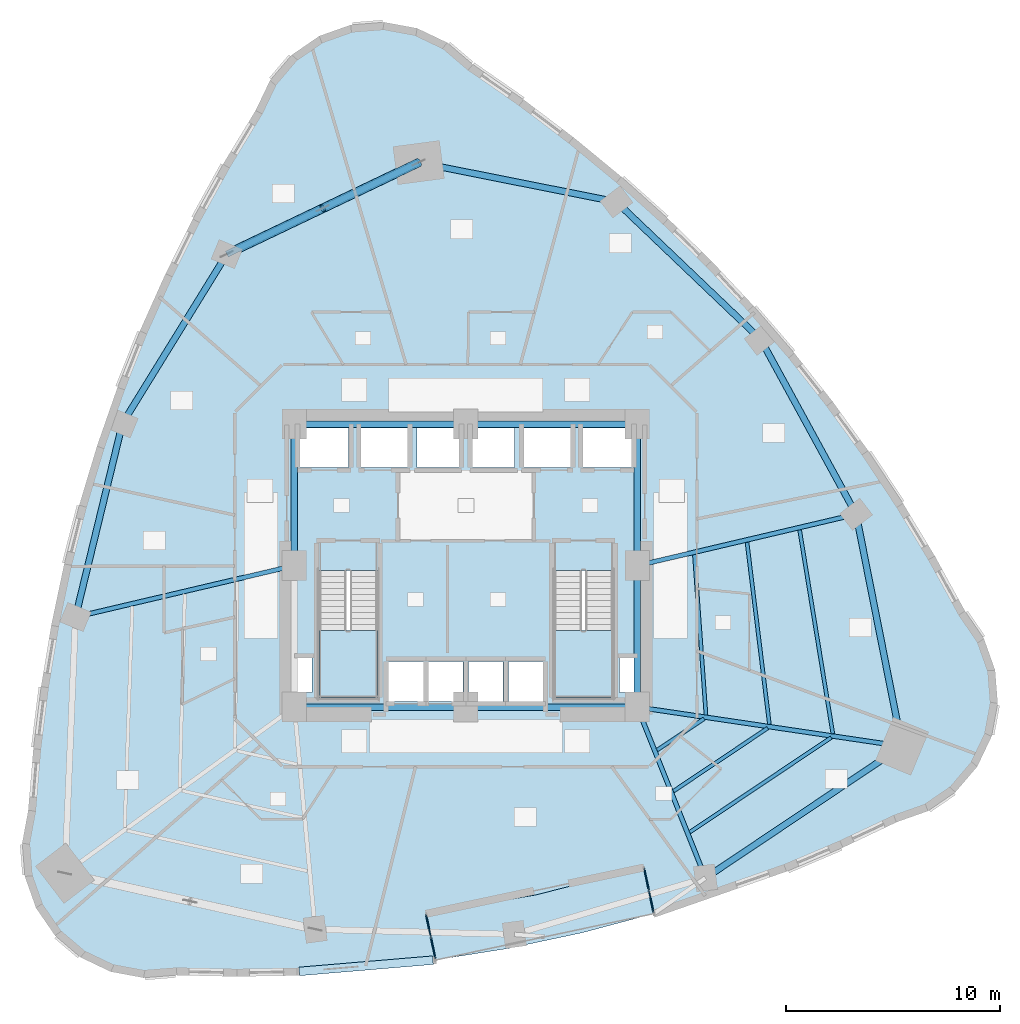
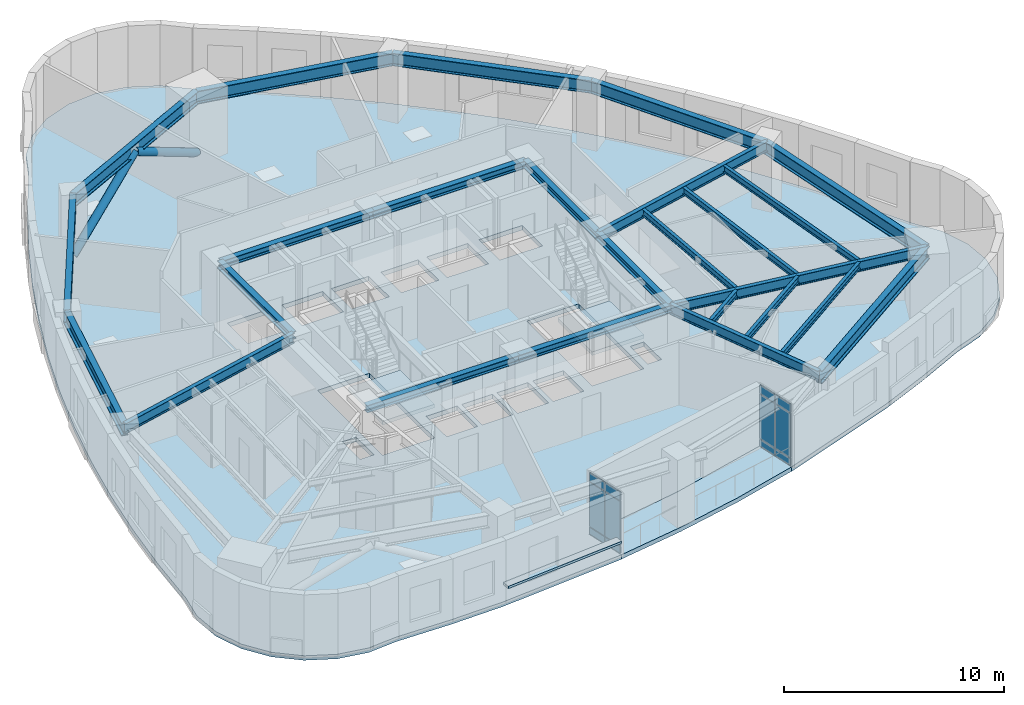
# One storey, part 4 of 12: 25 beams, 13 plates, 4 slabs, 2 members, 4 elements without a shape of their own.
"""IFC4 building model written with IfcOpenShell, lengths in metres."""

from ifc_helpers import new_model, si_unit, direction, frame, origin, origin_2d, place, context, subcontext, project, spatial, polyline, rectangle, hollow_circle, i_section, outline, extrude, material, layer, layer_set, material_profile, profile_set, type_object, element, aggregate, save


model = new_model("IFC4")

# Units and contexts
model_context = context("Model", 3, precision=1e-05, world=origin(), true_north=direction((0.0, 1.0)))
body_context = subcontext(model_context, "Body", "Model", "MODEL_VIEW")
ifc_project = project(units=[si_unit("LENGTHUNIT", "METRE"), si_unit("AREAUNIT", "SQUARE_METRE"), si_unit("VOLUMEUNIT", "CUBIC_METRE"), si_unit("PLANEANGLEUNIT", "RADIAN"), si_unit("MASSUNIT", "GRAM", prefix="KILO")], contexts=[model_context])

# Site, building, storey
site_placement = place(None, origin())
site = spatial("IfcSite", under=ifc_project, at=site_placement, CompositionType="ELEMENT")
building_placement = place(site_placement, origin())
building = spatial("IfcBuilding", under=site, at=building_placement, Name="Ndelora Gate Hotel", CompositionType="ELEMENT")
storey_placement = place(building_placement, frame((0.0, 0.0, 71.75)))
storey = spatial("IfcBuildingStorey", under=building, at=storey_placement, Name="L17", CompositionType="ELEMENT", Elevation=71.75)

# Beams
ifc_material_1 = material(Name="Steel S355", Category="steel")
ifc_material_profile_1 = material_profile(ifc_material_1, i_section(OverallWidth=0.300048828125, OverallDepth=0.39990234375, WebThickness=0.013427734375, FlangeThickness=0.02392578125, FilletRadius=0.027099609375, at=origin_2d()), Name="HEB 400")
ifc_profile_set_1 = profile_set([ifc_material_profile_1], Name="Steel S355")
beam_type_1 = type_object("IfcBeamType", Name="BM-CORE-400", PredefinedType="BEAM", material=ifc_profile_set_1)
for number, where, z_axis, x_axis, name in (
    (1, (-8.0, 6.60009765625, 3.300048828125), (1.0, 0.0, 0.0), (0.0, 1.0, 0.0), "L17 Core Tie Girder CC7-CC6"),
    (2, (0.0, 6.60009765625, 3.300048828125), (1.0, 0.0, 0.0), (0.0, 1.0, 0.0), "L17 Core Tie Girder CC6-CC5"),
):
    element("IfcBeam", number, at=place(storey_placement, frame(where, z_axis=z_axis, x_axis=x_axis)), inside=storey, type_object=beam_type_1, Name=name, PredefinedType="BEAM", context=body_context, shape_type="SweptSolid", body=[
        extrude(i_section(OverallWidth=0.300048828125, OverallDepth=0.39990234375, WebThickness=0.013427734375, FlangeThickness=0.02392578125, FilletRadius=0.027099609375, at=origin_2d()), origin(), (0.0, 0.0, 1.0), 8.0),
    ])
for number, where, z_axis, x_axis, name in (
    (3, (-8.0, 0.0, 3.300048828125), (0.0, 1.0, 0.0), (-1.0, 0.0, 0.0), "L17 Core Tie Girder CC8-CC7"),
    (4, (8.0, -6.60009765625, 3.300048828125), (0.0, 1.0, 0.0), (-1.0, 0.0, 0.0), "L17 Core Tie Girder CC3-CC4"),
    (5, (8.0, 0.0, 3.300048828125), (0.0, 1.0, 0.0), (-1.0, 0.0, 0.0), "L17 Core Tie Girder CC4-CC5"),
):
    element("IfcBeam", number, at=place(storey_placement, frame(where, z_axis=z_axis, x_axis=x_axis)), inside=storey, type_object=beam_type_1, Name=name, PredefinedType="BEAM", context=body_context, shape_type="SweptSolid", body=[
        extrude(i_section(OverallWidth=0.300048828125, OverallDepth=0.39990234375, WebThickness=0.013427734375, FlangeThickness=0.02392578125, FilletRadius=0.027099609375, at=origin_2d()), origin(), (0.0, 0.0, 1.0), 6.60009765625),
    ])
for number, where, z_axis, x_axis, name in (
    (6, (-8.0, -6.60009765625, 3.300048828125), (1.0, 0.0, 0.0), (0.0, 1.0, 0.0), "L17 Core Tie Girder CC1-CC2"),
    (7, (0.0, -6.60009765625, 3.300048828125), (1.0, 0.0, 0.0), (0.0, 1.0, 0.0), "L17 Core Tie Girder CC2-CC3"),
):
    element("IfcBeam", number, at=place(storey_placement, frame(where, z_axis=z_axis, x_axis=x_axis)), inside=storey, type_object=beam_type_1, Name=name, PredefinedType="BEAM", context=body_context, shape_type="SweptSolid", body=[
        extrude(i_section(OverallWidth=0.300048828125, OverallDepth=0.39990234375, WebThickness=0.013427734375, FlangeThickness=0.02392578125, FilletRadius=0.027099609375, at=origin_2d()), origin(), (0.0, 0.0, 1.0), 8.0),
    ])
ifc_material_profile_2 = material_profile(ifc_material_1, i_section(OverallWidth=0.169921875, OverallDepth=0.360107421875, WebThickness=0.008056640625, FlangeThickness=0.0126953125, FilletRadius=0.01806640625, at=origin_2d()), Name="IPE 360")
ifc_profile_set_2 = profile_set([ifc_material_profile_2], Name="Steel S355")
beam_type_2 = type_object("IfcBeamType", Name="BM-JST-360", PredefinedType="JOIST", material=ifc_profile_set_2)
beam_1_placement = place(storey_placement, frame((8.922119140625, -8.608154296875, 3.320068359375), z_axis=(0.830952990267, 0.556342635402, 0.0), x_axis=(-0.556342635402, 0.830952990267, 0.0)))
element("IfcBeam", 8, at=beam_1_placement, inside=storey, type_object=beam_type_2, Name="L17 Secondary Composite Floor Joist IN-8", PredefinedType="JOIST", context=body_context, shape_type="SweptSolid", body=[
    extrude(i_section(OverallWidth=0.169921875, OverallDepth=0.360107421875, WebThickness=0.008056640625, FlangeThickness=0.0126953125, FilletRadius=0.01806640625, at=origin_2d()), origin(), (0.0, 0.0, 1.0), 2.6396484375),
])
beam_2_placement = place(storey_placement, frame((9.685302734375, -10.520751953125, 3.320068359375), z_axis=(0.83093347578, 0.556371781121, 0.0), x_axis=(-0.556371781121, 0.83093347578, 0.0)))
element("IfcBeam", 9, at=beam_2_placement, inside=storey, type_object=beam_type_2, Name="L17 Secondary Composite Floor Joist MID-8", PredefinedType="JOIST", context=body_context, shape_type="SweptSolid", body=[
    extrude(i_section(OverallWidth=0.169921875, OverallDepth=0.360107421875, WebThickness=0.008056640625, FlangeThickness=0.0126953125, FilletRadius=0.01806640625, at=origin_2d()), origin(), (0.0, 0.0, 1.0), 5.2880859375),
])
beam_3_placement = place(storey_placement, frame((10.448486328125, -12.433349609375, 3.320068359375), z_axis=(0.830936507521, 0.556367253231, 0.0), x_axis=(-0.556367253231, 0.830936507521, 0.0)))
element("IfcBeam", 10, at=beam_3_placement, inside=storey, type_object=beam_type_2, Name="L17 Secondary Composite Floor Joist OUT-8", PredefinedType="JOIST", context=body_context, shape_type="SweptSolid", body=[
    extrude(i_section(OverallWidth=0.169921875, OverallDepth=0.360107421875, WebThickness=0.008056640625, FlangeThickness=0.0126953125, FilletRadius=0.01806640625, at=origin_2d()), origin(), (0.0, 0.0, 1.0), 7.936767578125),
])
beam_4_placement = place(storey_placement, frame((11.20263671875, -6.9609375, 3.320068359375), z_axis=(-0.072176031603, 0.997391909162, 0.0), x_axis=(-0.997391909162, -0.072176031603, 0.0)))
element("IfcBeam", 11, at=beam_4_placement, inside=storey, type_object=beam_type_2, Name="L17 Secondary Composite Floor Joist IN-9", PredefinedType="JOIST", context=body_context, shape_type="SweptSolid", body=[
    extrude(i_section(OverallWidth=0.169921875, OverallDepth=0.360107421875, WebThickness=0.008056640625, FlangeThickness=0.0126953125, FilletRadius=0.01806640625, at=origin_2d()), origin(), (0.0, 0.0, 1.0), 7.489013671875),
])
beam_5_placement = place(storey_placement, frame((14.160888671875, -7.400390625, 3.320068359375), z_axis=(-0.122030984704, 0.992526291225, 0.0), x_axis=(-0.992526291225, -0.122030984704, 0.0)))
element("IfcBeam", 12, at=beam_5_placement, inside=storey, type_object=beam_type_2, Name="L17 Secondary Composite Floor Joist MID-9", PredefinedType="JOIST", context=body_context, shape_type="SweptSolid", body=[
    extrude(i_section(OverallWidth=0.169921875, OverallDepth=0.360107421875, WebThickness=0.008056640625, FlangeThickness=0.0126953125, FilletRadius=0.01806640625, at=origin_2d()), origin(), (0.0, 0.0, 1.0), 8.548828125),
])
beam_6_placement = place(storey_placement, frame((17.12060546875, -7.840087890625, 3.320068359375), z_axis=(-0.160901992796, 0.986970388975, 0.0), x_axis=(-0.986970388975, -0.160901992796, 0.0)))
element("IfcBeam", 13, at=beam_6_placement, inside=storey, type_object=beam_type_2, Name="L17 Secondary Composite Floor Joist OUT-9", PredefinedType="JOIST", context=body_context, shape_type="SweptSolid", body=[
    extrude(i_section(OverallWidth=0.169921875, OverallDepth=0.360107421875, WebThickness=0.008056640625, FlangeThickness=0.0126953125, FilletRadius=0.01806640625, at=origin_2d()), origin(), (0.0, 0.0, 1.0), 9.6259765625),
])
ifc_material_profile_3 = material_profile(ifc_material_1, i_section(OverallWidth=0.2099609375, OverallDepth=0.550048828125, WebThickness=0.010986328125, FlangeThickness=0.01708984375, FilletRadius=0.02392578125, at=origin_2d()), Name="IPE 550")
ifc_profile_set_3 = profile_set([ifc_material_profile_3], Name="Steel S355")
beam_type_3 = type_object("IfcBeamType", Name="BM-RAD-550", PredefinedType="BEAM", material=ifc_profile_set_3)
beam_7_placement = place(storey_placement, frame((-8.0, 0.0, 3.22509765625), z_axis=(-0.973517848051, -0.22861102232, 0.0), x_axis=(0.22861102232, -0.973517848051, 0.0)))
element("IfcBeam", 14, at=beam_7_placement, inside=storey, type_object=beam_type_3, Name="L17 Radial Floor Girder 4", PredefinedType="BEAM", context=body_context, shape_type="SweptSolid", body=[
    extrude(i_section(OverallWidth=0.2099609375, OverallDepth=0.550048828125, WebThickness=0.010986328125, FlangeThickness=0.01708984375, FilletRadius=0.02392578125, at=origin_2d()), origin(), (0.0, 0.0, 1.0), 10.48486328125),
])
beam_8_placement = place(storey_placement, frame((8.0, -6.60009765625, 3.22509765625), z_axis=(0.37056142644, -0.92880796144, 0.0), x_axis=(0.92880796144, 0.37056142644, 0.0)))
element("IfcBeam", 15, at=beam_8_placement, inside=storey, type_object=beam_type_3, Name="L17 Radial Floor Girder 8", PredefinedType="BEAM", context=body_context, shape_type="SweptSolid", body=[
    extrude(i_section(OverallWidth=0.2099609375, OverallDepth=0.550048828125, WebThickness=0.010986328125, FlangeThickness=0.01708984375, FilletRadius=0.02392578125, at=origin_2d()), origin(), (0.0, 0.0, 1.0), 8.580078125),
])
beam_9_placement = place(storey_placement, frame((8.0, -6.60009765625, 3.22509765625), z_axis=(0.989209761041, -0.146506138649, 0.0), x_axis=(0.146506138649, 0.989209761041, 0.0)))
element("IfcBeam", 16, at=beam_9_placement, inside=storey, type_object=beam_type_3, Name="L17 Radial Floor Girder 9", PredefinedType="BEAM", context=body_context, shape_type="SweptSolid", body=[
    extrude(i_section(OverallWidth=0.2099609375, OverallDepth=0.550048828125, WebThickness=0.010986328125, FlangeThickness=0.01708984375, FilletRadius=0.02392578125, at=origin_2d()), origin(), (0.0, 0.0, 1.0), 12.48486328125),
])
beam_10_placement = place(storey_placement, frame((8.0, 0.0, 3.22509765625), z_axis=(0.973517848051, 0.22861102232, 0.0), x_axis=(-0.22861102232, 0.973517848051, 0.0)))
element("IfcBeam", 17, at=beam_10_placement, inside=storey, type_object=beam_type_3, Name="L17 Radial Floor Girder 10", PredefinedType="BEAM", context=body_context, shape_type="SweptSolid", body=[
    extrude(i_section(OverallWidth=0.2099609375, OverallDepth=0.550048828125, WebThickness=0.010986328125, FlangeThickness=0.01708984375, FilletRadius=0.02392578125, at=origin_2d()), origin(), (0.0, 0.0, 1.0), 10.48486328125),
])
ifc_material_profile_4 = material_profile(ifc_material_1, i_section(OverallWidth=0.300048828125, OverallDepth=0.699951171875, WebThickness=0.01708984375, FlangeThickness=0.031982421875, FilletRadius=0.027099609375, at=origin_2d()), Name="HEB 700")
ifc_profile_set_4 = profile_set([ifc_material_profile_4], Name="Steel S355")
beam_type_4 = type_object("IfcBeamType", Name="BM-RING-700", PredefinedType="SPANDREL", material=ifc_profile_set_4)
beam_11_placement = place(storey_placement, frame((-2.199951171875, 18.800048828125, 3.14990234375), z_axis=(-0.902476034566, -0.43074006899, 0.0), x_axis=(0.43074006899, -0.902476034566, 0.0)))
element("IfcBeam", 18, at=beam_11_placement, inside=storey, type_object=beam_type_4, Name="L17 Perimeter Spandrel Girder 1", PredefinedType="SPANDREL", context=body_context, shape_type="SweptSolid", body=[
    extrude(i_section(OverallWidth=0.300048828125, OverallDepth=0.699951171875, WebThickness=0.01708984375, FlangeThickness=0.031982421875, FilletRadius=0.027099609375, at=origin_2d()), origin(), (0.0, 0.0, 1.0), 9.91552734375),
])
beam_12_placement = place(storey_placement, frame((-11.1484375, 14.529052734375, 3.14990234375), z_axis=(-0.524897602516, -0.851165381623, 0.0), x_axis=(0.851165381623, -0.524897602516, 0.0)))
element("IfcBeam", 19, at=beam_12_placement, inside=storey, type_object=beam_type_4, Name="L17 Perimeter Spandrel Girder 2", PredefinedType="SPANDREL", context=body_context, shape_type="SweptSolid", body=[
    extrude(i_section(OverallWidth=0.300048828125, OverallDepth=0.699951171875, WebThickness=0.01708984375, FlangeThickness=0.031982421875, FilletRadius=0.027099609375, at=origin_2d()), origin(), (0.0, 0.0, 1.0), 9.27490234375),
])
beam_13_placement = place(storey_placement, frame((-16.016845703125, 6.634521484375, 3.14990234375), z_axis=(-0.235699273714, -0.971826040179, 0.0), x_axis=(0.971826040179, -0.235699273714, 0.0)))
element("IfcBeam", 20, at=beam_13_placement, inside=storey, type_object=beam_type_4, Name="L17 Perimeter Spandrel Girder 3", PredefinedType="SPANDREL", context=body_context, shape_type="SweptSolid", body=[
    extrude(i_section(OverallWidth=0.300048828125, OverallDepth=0.699951171875, WebThickness=0.01708984375, FlangeThickness=0.031982421875, FilletRadius=0.027099609375, at=origin_2d()), origin(), (0.0, 0.0, 1.0), 9.293212890625),
])
beam_14_placement = place(storey_placement, frame((11.179443359375, -14.5693359375, 3.14990234375), z_axis=(0.830945983886, 0.556353099985, 0.0), x_axis=(-0.556353099985, 0.830945983886, 0.0)))
element("IfcBeam", 21, at=beam_14_placement, inside=storey, type_object=beam_type_4, Name="L17 Perimeter Spandrel Girder 8", PredefinedType="SPANDREL", context=body_context, shape_type="SweptSolid", body=[
    extrude(i_section(OverallWidth=0.300048828125, OverallDepth=0.699951171875, WebThickness=0.01708984375, FlangeThickness=0.031982421875, FilletRadius=0.027099609375, at=origin_2d()), origin(), (0.0, 0.0, 1.0), 11.036376953125),
])
beam_15_placement = place(storey_placement, frame((20.35009765625, -8.42919921875, 3.14990234375), z_axis=(-0.194163071691, 0.980969266385, 0.0), x_axis=(-0.980969266385, -0.194163071691, 0.0)))
element("IfcBeam", 22, at=beam_15_placement, inside=storey, type_object=beam_type_4, Name="L17 Perimeter Spandrel Girder 9", PredefinedType="SPANDREL", context=body_context, shape_type="SweptSolid", body=[
    extrude(i_section(OverallWidth=0.300048828125, OverallDepth=0.699951171875, WebThickness=0.01708984375, FlangeThickness=0.031982421875, FilletRadius=0.027099609375, at=origin_2d()), origin(), (0.0, 0.0, 1.0), 11.0361328125),
])
for number, where, z_axis, x_axis, name in (
    (23, (18.207275390625, 2.39697265625, 3.14990234375), (-0.479203651005, 0.87770374322, 0.0), (-0.87770374322, -0.479203651005, 0.0), "L17 Perimeter Spandrel Girder 10"),
    (24, (13.75390625, 10.5537109375, 3.14990234375), (-0.723784227769, 0.690026370244, 0.0), (-0.690026370244, -0.723784227769, 0.0), "L17 Perimeter Spandrel Girder 11"),
):
    element("IfcBeam", number, at=place(storey_placement, frame(where, z_axis=z_axis, x_axis=x_axis)), inside=storey, type_object=beam_type_4, Name=name, PredefinedType="SPANDREL", context=body_context, shape_type="SweptSolid", body=[
        extrude(i_section(OverallWidth=0.300048828125, OverallDepth=0.699951171875, WebThickness=0.01708984375, FlangeThickness=0.031982421875, FilletRadius=0.027099609375, at=origin_2d()), origin(), (0.0, 0.0, 1.0), 9.293212890625),
    ])
beam_16_placement = place(storey_placement, frame((7.027587890625, 16.96630859375, 3.14990234375), z_axis=(-0.980820478164, 0.194913287424, 0.0), x_axis=(-0.194913287424, -0.980820478164, 0.0)))
element("IfcBeam", 25, at=beam_16_placement, inside=storey, type_object=beam_type_4, Name="L17 Perimeter Spandrel Girder 12", PredefinedType="SPANDREL", context=body_context, shape_type="SweptSolid", body=[
    extrude(i_section(OverallWidth=0.300048828125, OverallDepth=0.699951171875, WebThickness=0.01708984375, FlangeThickness=0.031982421875, FilletRadius=0.027099609375, at=origin_2d()), origin(), (0.0, 0.0, 1.0), 9.407958984375),
])

# Members
ifc_material_profile_5 = material_profile(ifc_material_1, hollow_circle(Radius=0.202880859375, WallThickness=0.02001953125, at=origin_2d()), Name="CHS 406x20")
ifc_profile_set_5 = profile_set([ifc_material_profile_5], Name="Steel S355")
member_type = type_object("IfcMemberType", Name="MB-TUBE-406", PredefinedType="BRACE", material=ifc_profile_set_5)
for number, where, z_axis, x_axis, name in (
    (26, (-2.199951171875, 18.800048828125, 0.02001953125), (-0.776949460618, -0.370817751515, 0.508766872749), (0.430730497743, -0.902480602736, 0.0), "L17 Perimeter Braced-Tube Diagonal 1A"),
    (27, (-11.1484375, 14.529052734375, 0.02001953125), (0.776932657062, 0.370829965695, 0.508783630765), (-0.430749640615, 0.902471466092, 0.0), "L17 Perimeter Braced-Tube Diagonal 1B"),
):
    element("IfcMember", number, at=place(storey_placement, frame(where, z_axis=z_axis, x_axis=x_axis)), inside=storey, type_object=member_type, Name=name, PredefinedType="BRACE", context=body_context, shape_type="SweptSolid", body=[
        extrude(hollow_circle(Radius=0.202880859375, WallThickness=0.02001953125, at=origin_2d()), origin(), (0.0, 0.0, 1.0), 5.7587890625),
    ])

# Curtain wall, plates
ifc_material_2 = material(Name="Bronze Anodised Unitised Aluminium and Low-E Glass", Category="aluminium")
ifc_layer_1 = layer(ifc_material_2, 0.199951171875)
ifc_layer_set_1 = layer_set([ifc_layer_1], Name="Bronze Anodised Unitised Aluminium and Low-E Glass")
curtain_wall_type = type_object("IfcCurtainWallType", Name="CW-SYS-3", PredefinedType="NOTDEFINED", material=ifc_layer_set_1)
curtain_wall_1_placement = place(storey_placement, origin())
curtain_wall_1 = element("IfcCurtainWall", 28, at=curtain_wall_1_placement, inside=storey, type_object=curtain_wall_type, Name="L17 Sky-Garden Loggia Side Curtain Wall CW3-1", PredefinedType="NOTDEFINED")
ifc_material_3 = material(Name="Solar-Control Low-E Insulated Glazing", Category="glass")
ifc_layer_2 = layer(ifc_material_3, 0.048095703125)
ifc_layer_set_2 = layer_set([ifc_layer_2], Name="Solar-Control Low-E Insulated Glazing")
plate_type_1 = type_object("IfcPlateType", Name="PL-CW-GLZ36", PredefinedType="CURTAIN_PANEL", material=ifc_layer_set_2)
plate_1_placement = place(storey_placement, frame((-1.74560546875, -16.798095703125, 0.05908203125), z_axis=(0.0, 0.0, 1.0), x_axis=(0.207911488567, -0.978147643724, 0.0)))
plate_1 = element("IfcPlate", 29, at=plate_1_placement, type_object=plate_type_1, Name="CW3 panel 1.1", PredefinedType="CURTAIN_PANEL", context=body_context, shape_type="SweptSolid", body=[
    extrude(rectangle(XDim=1.014404296875, YDim=0.048095703125, at=origin_2d()), origin(), (0.0, 0.0, 1.0), 0.364501953125),
])
plate_2_placement = place(storey_placement, frame((-1.74560546875, -16.798095703125, 0.4765625), z_axis=(0.0, 0.0, 1.0), x_axis=(0.207911488567, -0.978147643724, 0.0)))
plate_2 = element("IfcPlate", 30, at=plate_2_placement, type_object=plate_type_1, Name="CW3 panel 1.2", PredefinedType="CURTAIN_PANEL", context=body_context, shape_type="SweptSolid", body=[
    extrude(rectangle(XDim=1.014404296875, YDim=0.048095703125, at=origin_2d()), origin(), (0.0, 0.0, 1.0), 2.447021484375),
])
plate_3_placement = place(storey_placement, frame((-1.74560546875, -16.798095703125, 2.9765625), z_axis=(0.0, 0.0, 1.0), x_axis=(0.207911488567, -0.978147643724, 0.0)))
plate_3 = element("IfcPlate", 31, at=plate_3_placement, type_object=plate_type_1, Name="CW3 panel 1.3", PredefinedType="CURTAIN_PANEL", context=body_context, shape_type="SweptSolid", body=[
    extrude(rectangle(XDim=1.014404296875, YDim=0.048095703125, at=origin_2d()), origin(), (0.0, 0.0, 1.0), 0.464599609375),
])
plate_4_placement = place(storey_placement, frame((-1.523681640625, -17.84228515625, 0.05908203125), z_axis=(0.0, 0.0, 1.0), x_axis=(0.207911488567, -0.978147643724, 0.0)))
plate_4 = element("IfcPlate", 32, at=plate_4_placement, type_object=plate_type_1, Name="CW3 panel 2.1", PredefinedType="CURTAIN_PANEL", context=body_context, shape_type="SweptSolid", body=[
    extrude(rectangle(XDim=1.014404296875, YDim=0.048095703125, at=origin_2d()), origin(), (0.0, 0.0, 1.0), 0.364501953125),
])
plate_5_placement = place(storey_placement, frame((-1.523681640625, -17.84228515625, 0.4765625), z_axis=(0.0, 0.0, 1.0), x_axis=(0.207911488567, -0.978147643724, 0.0)))
plate_5 = element("IfcPlate", 33, at=plate_5_placement, type_object=plate_type_1, Name="CW3 panel 2.2", PredefinedType="CURTAIN_PANEL", context=body_context, shape_type="SweptSolid", body=[
    extrude(rectangle(XDim=1.014404296875, YDim=0.048095703125, at=origin_2d()), origin(), (0.0, 0.0, 1.0), 2.447021484375),
])
plate_6_placement = place(storey_placement, frame((-1.523681640625, -17.84228515625, 2.9765625), z_axis=(0.0, 0.0, 1.0), x_axis=(0.207911488567, -0.978147643724, 0.0)))
plate_6 = element("IfcPlate", 34, at=plate_6_placement, type_object=plate_type_1, Name="CW3 panel 2.3", PredefinedType="CURTAIN_PANEL", context=body_context, shape_type="SweptSolid", body=[
    extrude(rectangle(XDim=1.014404296875, YDim=0.048095703125, at=origin_2d()), origin(), (0.0, 0.0, 1.0), 0.464599609375),
])
aggregate(curtain_wall_1, [plate_1, plate_2, plate_3, plate_4, plate_5, plate_6])

curtain_wall_2_placement = place(storey_placement, origin())
curtain_wall_2 = element("IfcCurtainWall", 35, at=curtain_wall_2_placement, inside=storey, type_object=curtain_wall_type, Name="L17 Sky-Garden Loggia Side Curtain Wall CW3-2", PredefinedType="NOTDEFINED")
plate_7_placement = place(storey_placement, frame((8.649169921875, -15.679931640625, 0.05908203125), z_axis=(0.0, 0.0, 1.0), x_axis=(-0.207911488567, 0.978147643724, 0.0)))
plate_7 = element("IfcPlate", 36, at=plate_7_placement, type_object=plate_type_1, Name="CW3 panel 1.1", PredefinedType="CURTAIN_PANEL", context=body_context, shape_type="SweptSolid", body=[
    extrude(rectangle(XDim=1.014404296875, YDim=0.048095703125, at=origin_2d()), origin(), (0.0, 0.0, 1.0), 0.364501953125),
])
plate_8_placement = place(storey_placement, frame((8.649169921875, -15.679931640625, 0.4765625), z_axis=(0.0, 0.0, 1.0), x_axis=(-0.207911488567, 0.978147643724, 0.0)))
plate_8 = element("IfcPlate", 37, at=plate_8_placement, type_object=plate_type_1, Name="CW3 panel 1.2", PredefinedType="CURTAIN_PANEL", context=body_context, shape_type="SweptSolid", body=[
    extrude(rectangle(XDim=1.014404296875, YDim=0.048095703125, at=origin_2d()), origin(), (0.0, 0.0, 1.0), 2.447021484375),
])
plate_9_placement = place(storey_placement, frame((8.649169921875, -15.679931640625, 2.9765625), z_axis=(0.0, 0.0, 1.0), x_axis=(-0.207911488567, 0.978147643724, 0.0)))
plate_9 = element("IfcPlate", 38, at=plate_9_placement, type_object=plate_type_1, Name="CW3 panel 1.3", PredefinedType="CURTAIN_PANEL", context=body_context, shape_type="SweptSolid", body=[
    extrude(rectangle(XDim=1.014404296875, YDim=0.048095703125, at=origin_2d()), origin(), (0.0, 0.0, 1.0), 0.464599609375),
])
plate_10_placement = place(storey_placement, frame((8.42724609375, -14.6357421875, 0.05908203125), z_axis=(0.0, 0.0, 1.0), x_axis=(-0.207911488567, 0.978147643724, 0.0)))
plate_10 = element("IfcPlate", 39, at=plate_10_placement, type_object=plate_type_1, Name="CW3 panel 2.1", PredefinedType="CURTAIN_PANEL", context=body_context, shape_type="SweptSolid", body=[
    extrude(rectangle(XDim=1.014404296875, YDim=0.048095703125, at=origin_2d()), origin(), (0.0, 0.0, 1.0), 0.364501953125),
])
plate_11_placement = place(storey_placement, frame((8.42724609375, -14.6357421875, 0.4765625), z_axis=(0.0, 0.0, 1.0), x_axis=(-0.207911488567, 0.978147643724, 0.0)))
plate_11 = element("IfcPlate", 40, at=plate_11_placement, type_object=plate_type_1, Name="CW3 panel 2.2", PredefinedType="CURTAIN_PANEL", context=body_context, shape_type="SweptSolid", body=[
    extrude(rectangle(XDim=1.014404296875, YDim=0.048095703125, at=origin_2d()), origin(), (0.0, 0.0, 1.0), 2.447021484375),
])
plate_12_placement = place(storey_placement, frame((8.42724609375, -14.6357421875, 2.9765625), z_axis=(0.0, 0.0, 1.0), x_axis=(-0.207911488567, 0.978147643724, 0.0)))
plate_12 = element("IfcPlate", 41, at=plate_12_placement, type_object=plate_type_1, Name="CW3 panel 2.3", PredefinedType="CURTAIN_PANEL", context=body_context, shape_type="SweptSolid", body=[
    extrude(rectangle(XDim=1.014404296875, YDim=0.048095703125, at=origin_2d()), origin(), (0.0, 0.0, 1.0), 0.464599609375),
])
aggregate(curtain_wall_2, [plate_7, plate_8, plate_9, plate_10, plate_11, plate_12])

# Plate
ifc_material_4 = material(Name="Precast concrete C40/50", Category="concrete")
ifc_layer_3 = layer(ifc_material_4, 0.125)
ifc_layer_set_3 = layer_set([ifc_layer_3], Name="Precast concrete C40/50")
plate_type_2 = type_object("IfcPlateType", Name="PL-SILL-120", PredefinedType="USERDEFINED", material=ifc_layer_set_3)
plate_13_placement = place(storey_placement, frame((-4.652587890625, -18.66943359375, 0.78759765625), z_axis=(0.0, 0.0, 1.0), x_axis=(0.996478239533, 0.083851762871, 0.0)))
element("IfcPlate", 42, at=plate_13_placement, inside=storey, type_object=plate_type_2, Name="L17 Streamline Precast Ribbon Sill 31", ObjectType="RIBBON_SILL", PredefinedType="USERDEFINED", context=body_context, shape_type="SweptSolid", body=[
    extrude(rectangle(XDim=6.26611328125, YDim=0.39990234375, at=origin_2d()), origin(), (0.0, 0.0, 1.0), 0.125),
])

# Stair, slab
stair_type = type_object("IfcStairType", Name="STR-DOG-CORE", PredefinedType="HALF_TURN_STAIR", material=ifc_material_4)
stair_1_placement = place(storey_placement, origin())
stair_1 = element("IfcStair", 43, at=stair_1_placement, inside=storey, type_object=stair_type, Name="L17 Protected Core Exit Stair ST4", PredefinedType="HALF_TURN_STAIR")
ifc_layer_4 = layer(ifc_material_4, 0.219970703125)
ifc_layer_set_4 = layer_set([ifc_layer_4], Name="Precast concrete C40/50")
slab_type_1 = type_object("IfcSlabType", Name="SL-LAND-220", PredefinedType="LANDING", material=ifc_layer_set_4)
slab_1_placement = place(storey_placement, frame((0.0, 0.0, 1.675048828125)))
slab_1 = element("IfcSlab", 44, at=slab_1_placement, type_object=slab_type_1, Name="ST4 landing 1", PredefinedType="LANDING", context=body_context, shape_type="SweptSolid", body=[
    extrude(outline(polyline([(-6.85009765625, -3.030029296875), (-6.85009765625, -6.14990234375), (-4.1298828125, -6.14990234375), (-4.1298828125, -3.030029296875), (-6.85009765625, -3.030029296875)])), origin(), (0.0, 0.0, 1.0), 0.199951171875),
])
aggregate(stair_1, [slab_1])

stair_2_placement = place(storey_placement, origin())
stair_2 = element("IfcStair", 45, at=stair_2_placement, inside=storey, type_object=stair_type, Name="L17 Protected Core Exit Stair ST5", PredefinedType="HALF_TURN_STAIR")
slab_2_placement = place(storey_placement, frame((0.0, 0.0, 1.675048828125)))
slab_2 = element("IfcSlab", 46, at=slab_2_placement, type_object=slab_type_1, Name="ST5 landing 1", PredefinedType="LANDING", context=body_context, shape_type="SweptSolid", body=[
    extrude(outline(polyline([(4.1298828125, -3.030029296875), (4.1298828125, -6.14990234375), (6.85009765625, -6.14990234375), (6.85009765625, -3.030029296875), (4.1298828125, -3.030029296875)])), origin(), (0.0, 0.0, 1.0), 0.199951171875),
])
aggregate(stair_2, [slab_2])

# Slabs
ifc_layer_5 = layer(ifc_material_4, 0.239990234375)
ifc_layer_set_5 = layer_set([ifc_layer_5], Name="Precast concrete C40/50")
slab_type_2 = type_object("IfcSlabType", Name="SL-TER-240", PredefinedType="FLOOR", material=ifc_layer_set_5)
slab_3_placement = place(storey_placement, frame((0.0, 0.0, -0.239990234375)))
element("IfcSlab", 47, at=slab_3_placement, inside=storey, type_object=slab_type_2, Name="L17 Sky Garden Loggia Terrace Slab", PredefinedType="FLOOR", context=body_context, shape_type="SweptSolid", body=[
    extrude(outline(polyline([(-1.86328125, -16.244140625), (-1.406005859375, -18.39599609375), (1.98828125, -17.857421875), (5.447021484375, -17.122314453125), (8.766845703125, -16.23388671875), (8.309326171875, -14.081787109375), (3.264892578125, -15.36083984375), (-1.86328125, -16.244140625)])), origin(), (0.0, 0.0, 1.0), 0.239990234375),
])
ifc_material_5 = material(Name="Concrete C40/50", Category="concrete")
ifc_layer_6 = layer(ifc_material_5, 0.25)
ifc_layer_set_6 = layer_set([ifc_layer_6], Name="Concrete C40/50")
slab_type_3 = type_object("IfcSlabType", Name="SL-TWR-250", PredefinedType="FLOOR", material=ifc_layer_set_6)
slab_4_placement = place(storey_placement, frame((0.0, 0.0, -0.25)))
element("IfcSlab", 48, at=slab_4_placement, inside=storey, type_object=slab_type_3, Name="L17 Structural Floor Slab", PredefinedType="FLOOR", context=body_context, shape_type="SweptSolid", body=[
    extrude(outline(polyline([(0.19189453125, 23.256103515625), (-0.95947265625, 24.2392578125), (-2.325927734375, 24.89111328125), (-3.814697265625, 25.1669921875), (-5.32421875, 25.04833984375), (-6.75146484375, 24.542724609375), (-7.999267578125, 23.685302734375), (-8.982666015625, 22.533935546875), (-9.634521484375, 21.167236328125), (-11.1572265625, 18.656005859375), (-12.563720703125, 16.106689453125), (-13.85400390625, 13.52001953125), (-15.0283203125, 10.895263671875), (-16.0859375, 8.23291015625), (-17.027587890625, 5.53271484375), (-17.85302734375, 2.794677734375), (-18.56201171875, 0.018798828125), (-19.155029296875, -2.794677734375), (-19.631591796875, -5.64599609375), (-19.9921875, -8.534912109375), (-20.236083984375, -11.461669921875), (-20.51220703125, -12.950439453125), (-20.393310546875, -14.4599609375), (-19.887939453125, -15.88720703125), (-19.0302734375, -17.135009765625), (-17.87890625, -18.118408203125), (-16.512451171875, -18.770263671875), (-15.023681640625, -19.046142578125), (-13.51416015625, -18.92724609375), (-10.69482421875, -18.990234375), (-7.89892578125, -18.94287109375), (-1.406005859375, -18.39599609375), (-1.86328125, -16.244140625), (3.264892578125, -15.36083984375), (8.309326171875, -14.081787109375), (8.766845703125, -16.23388671875), (14.9208984375, -14.09228515625), (17.494384765625, -12.998291015625), (20.044189453125, -11.794189453125), (21.471435546875, -11.288818359375), (22.71923828125, -10.43115234375), (23.70263671875, -9.27978515625), (24.3544921875, -7.913330078125), (24.63037109375, -6.424560546875), (24.51171875, -4.9150390625), (24.006103515625, -3.48779296875), (23.148681640625, -2.239990234375), (21.735107421875, 0.33447265625), (20.230712890625, 2.8271484375), (18.635498046875, 5.238037109375), (16.94970703125, 7.567138671875), (15.1728515625, 9.814453125), (13.30517578125, 11.97998046875), (11.3466796875, 14.063720703125), (9.29736328125, 16.06591796875), (7.1572265625, 17.986083984375), (4.926513671875, 19.824462890625), (2.6044921875, 21.5810546875), (0.19189453125, 23.256103515625)]), holes=[polyline([(-6.85009765625, -0.22998046875), (-6.85009765625, -6.14990234375), (-4.1298828125, -6.14990234375), (-4.1298828125, -0.22998046875), (-6.85009765625, -0.22998046875)]), polyline([(4.1298828125, -0.22998046875), (4.1298828125, -6.14990234375), (6.85009765625, -6.14990234375), (6.85009765625, -0.22998046875), (4.1298828125, -0.22998046875)]), polyline([(-7.72998046875, 4.570068359375), (-5.469970703125, 4.570068359375), (-5.469970703125, 6.429931640625), (-7.72998046875, 6.429931640625), (-7.72998046875, 4.570068359375)]), polyline([(5.469970703125, 4.570068359375), (7.72998046875, 4.570068359375), (7.72998046875, 6.429931640625), (5.469970703125, 6.429931640625), (5.469970703125, 4.570068359375)]), polyline([(-4.8798828125, 4.570068359375), (-2.719970703125, 4.570068359375), (-2.719970703125, 6.429931640625), (-4.8798828125, 6.429931640625), (-4.8798828125, 4.570068359375)]), polyline([(2.719970703125, 4.570068359375), (4.8798828125, 4.570068359375), (4.8798828125, 6.429931640625), (2.719970703125, 6.429931640625), (2.719970703125, 4.570068359375)]), polyline([(-3.60009765625, -6.330078125), (-1.97998046875, -6.330078125), (-1.97998046875, -4.469970703125), (-3.60009765625, -4.469970703125), (-3.60009765625, -6.330078125)]), polyline([(-1.739990234375, -6.330078125), (-0.1201171875, -6.330078125), (-0.1201171875, -4.469970703125), (-1.739990234375, -4.469970703125), (-1.739990234375, -6.330078125)]), polyline([(0.1201171875, -6.330078125), (1.739990234375, -6.330078125), (1.739990234375, -4.469970703125), (0.1201171875, -4.469970703125), (0.1201171875, -6.330078125)]), polyline([(1.97998046875, -6.330078125), (3.60009765625, -6.330078125), (3.60009765625, -4.469970703125), (1.97998046875, -4.469970703125), (1.97998046875, -6.330078125)]), polyline([(-2.280029296875, 4.570068359375), (-0.320068359375, 4.570068359375), (-0.320068359375, 6.429931640625), (-2.280029296875, 6.429931640625), (-2.280029296875, 4.570068359375)]), polyline([(0.320068359375, 4.570068359375), (2.280029296875, 4.570068359375), (2.280029296875, 6.429931640625), (0.320068359375, 6.429931640625), (0.320068359375, 4.570068359375)]), polyline([(-7.89990234375, -5.919921875), (-7.179931640625, -5.919921875), (-7.179931640625, -4.320068359375), (-7.89990234375, -4.320068359375), (-7.89990234375, -5.919921875)]), polyline([(7.179931640625, -5.919921875), (7.89990234375, -5.919921875), (7.89990234375, -4.320068359375), (7.179931640625, -4.320068359375), (7.179931640625, -5.919921875)])]), origin(), (0.0, 0.0, 1.0), 0.25),
])

save(model, "model.ifc")
